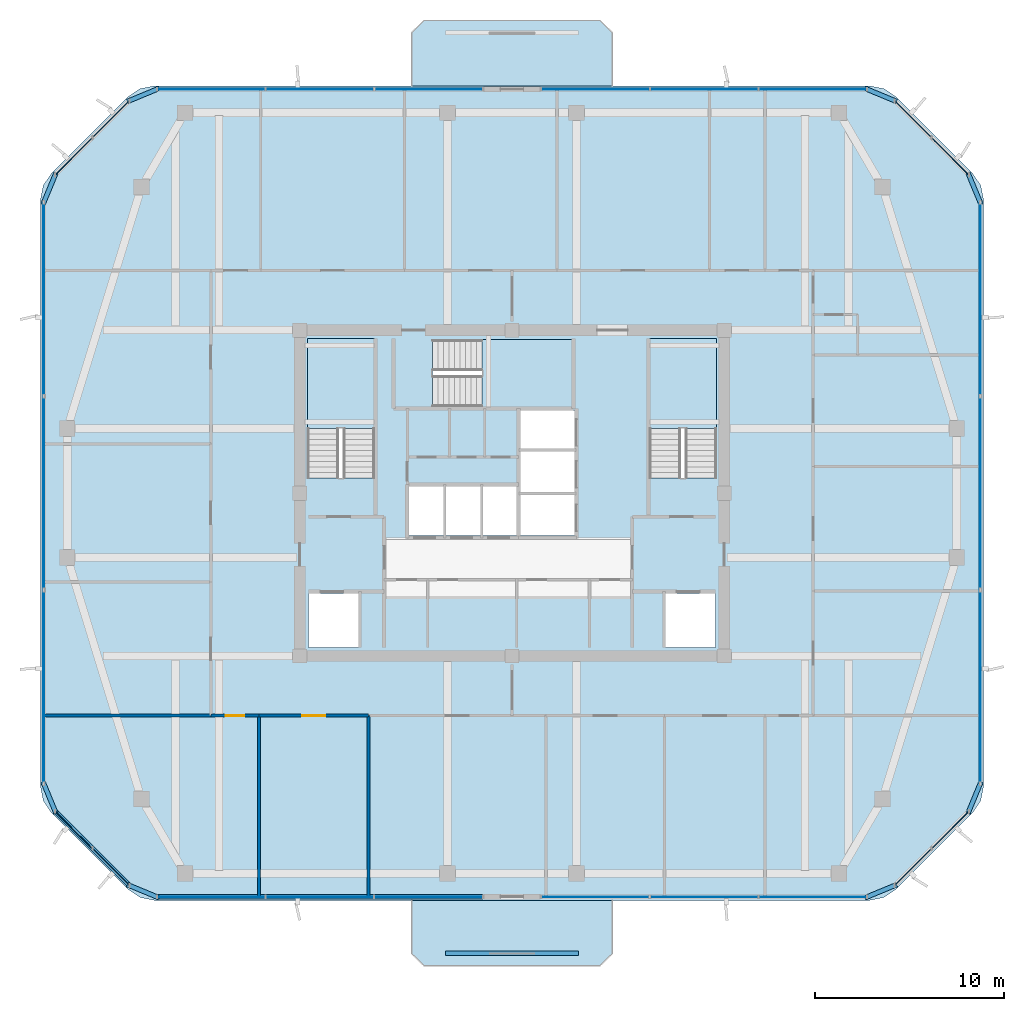
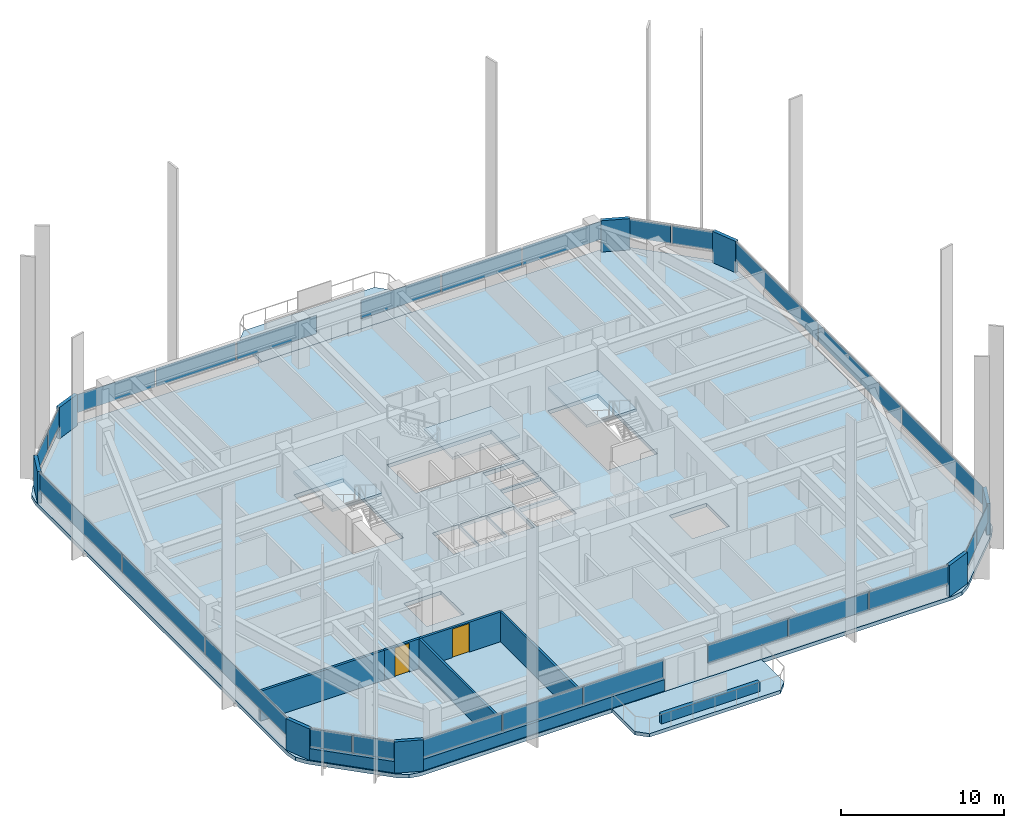
# One storey, part 6 of 13: 34 plates, 8 walls, 6 slabs, 2 doors, 2 openings, 13 elements without a shape of their own.
"""IFC4 building model written with IfcOpenShell, lengths in metres."""

from ifc_helpers import new_model, si_unit, derived_unit, direction, frame, frame_2d, origin, origin_2d, place, context, subcontext, project, spatial, polyline, rectangle, outline, extrude, material, layer, layer_set, type_object, element, fill, aggregate, save


model = new_model("IFC4")

# Units and contexts
model_context = context("Model", 3, precision=1e-05, world=origin(), true_north=direction((0.0, 1.0)))
body_context = subcontext(model_context, "Body", "Model", "MODEL_VIEW")
ifc_project = project(units=[si_unit("LENGTHUNIT", "METRE"), si_unit("AREAUNIT", "SQUARE_METRE"), si_unit("VOLUMEUNIT", "CUBIC_METRE"), si_unit("PLANEANGLEUNIT", "RADIAN"), si_unit("MASSUNIT", "GRAM", prefix="KILO"), derived_unit("THERMALTRANSMITTANCEUNIT", [(si_unit("POWERUNIT", "WATT"), 1), (si_unit("LENGTHUNIT", "METRE"), -2), (si_unit("THERMODYNAMICTEMPERATUREUNIT", "KELVIN"), -1)])], contexts=[model_context])

# Site, building, storey
site_placement = place(None, origin())
site = spatial("IfcSite", under=ifc_project, at=site_placement, CompositionType="ELEMENT")
building_placement = place(site_placement, origin())
building = spatial("IfcBuilding", under=site, at=building_placement, Name="Koralith Skygarden Medical Center", CompositionType="ELEMENT")
storey_placement = place(building_placement, frame((0.0, 0.0, 282.419921875)))
storey = spatial("IfcBuildingStorey", under=building, at=storey_placement, Name="L73", CompositionType="ELEMENT", Elevation=282.419921875)

# Curtain wall, plates
ifc_material_1 = material(Name="Clear Laminated Glass", Category="glass")
curtain_wall_type = type_object("IfcCurtainWallType", Name="CW-6 Zone 5 Upper Clinical Curtain Wall", PredefinedType="NOTDEFINED", material=ifc_material_1)
curtain_wall_1_placement = place(storey_placement, origin())
curtain_wall_1 = element("IfcCurtainWall", 1, at=curtain_wall_1_placement, inside=storey, type_object=curtain_wall_type, Name="Curtain Wall CW-L73-S-L", PredefinedType="NOTDEFINED")
ifc_layer_1 = layer(ifc_material_1, 0.0400390625)
ifc_layer_set_1 = layer_set([ifc_layer_1], Name="Clear Laminated Glass")
plate_type_1 = type_object("IfcPlateType", Name="CW-6 Hurricane Laminated IGU Panel 40", PredefinedType="CURTAIN_PANEL", material=ifc_layer_set_1)
plate_1_placement = place(storey_placement, frame((21.1220703125, 4.580078125, 0.919921875), z_axis=(0.0, 0.0, 1.0), x_axis=(1.0, 0.0, 0.0)))
plate_1 = element("IfcPlate", 2, at=plate_1_placement, type_object=plate_type_1, Name="CW-L73-S-L Glazed Panel 1", PredefinedType="CURTAIN_PANEL", context=body_context, shape_type="SweptSolid", body=[
    extrude(rectangle(XDim=5.64501953125, YDim=0.0400390625, at=origin_2d()), origin(), (0.0, 0.0, 1.0), 1.360107421875),
])
plate_2_placement = place(storey_placement, frame((26.85693359375, 4.580078125, 0.919921875), z_axis=(0.0, 0.0, 1.0), x_axis=(1.0, 0.0, 0.0)))
plate_2 = element("IfcPlate", 3, at=plate_2_placement, type_object=plate_type_1, Name="CW-L73-S-L Glazed Panel 2", PredefinedType="CURTAIN_PANEL", context=body_context, shape_type="SweptSolid", body=[
    extrude(rectangle(XDim=5.64501953125, YDim=0.0400390625, at=origin_2d()), origin(), (0.0, 0.0, 1.0), 1.360107421875),
])
plate_3_placement = place(storey_placement, frame((32.592041015625, 4.580078125, 0.919921875), z_axis=(0.0, 0.0, 1.0), x_axis=(1.0, 0.0, 0.0)))
plate_3 = element("IfcPlate", 4, at=plate_3_placement, type_object=plate_type_1, Name="CW-L73-S-L Glazed Panel 3", PredefinedType="CURTAIN_PANEL", context=body_context, shape_type="SweptSolid", body=[
    extrude(rectangle(XDim=5.64501953125, YDim=0.0400390625, at=origin_2d()), origin(), (0.0, 0.0, 1.0), 1.360107421875),
])
aggregate(curtain_wall_1, [plate_1, plate_2, plate_3])

curtain_wall_2_placement = place(storey_placement, origin())
curtain_wall_2 = element("IfcCurtainWall", 5, at=curtain_wall_2_placement, inside=storey, type_object=curtain_wall_type, Name="Curtain Wall CW-L73-S-R", PredefinedType="NOTDEFINED")
plate_4_placement = place(storey_placement, frame((41.406982421875, 4.580078125, 0.919921875), z_axis=(0.0, 0.0, 1.0), x_axis=(1.0, 0.0, 0.0)))
plate_4 = element("IfcPlate", 6, at=plate_4_placement, type_object=plate_type_1, Name="CW-L73-S-R Glazed Panel 1", PredefinedType="CURTAIN_PANEL", context=body_context, shape_type="SweptSolid", body=[
    extrude(rectangle(XDim=5.64501953125, YDim=0.0400390625, at=origin_2d()), origin(), (0.0, 0.0, 1.0), 1.360107421875),
])
plate_5_placement = place(storey_placement, frame((47.14208984375, 4.580078125, 0.919921875), z_axis=(0.0, 0.0, 1.0), x_axis=(1.0, 0.0, 0.0)))
plate_5 = element("IfcPlate", 7, at=plate_5_placement, type_object=plate_type_1, Name="CW-L73-S-R Glazed Panel 2", PredefinedType="CURTAIN_PANEL", context=body_context, shape_type="SweptSolid", body=[
    extrude(rectangle(XDim=5.64501953125, YDim=0.0400390625, at=origin_2d()), origin(), (0.0, 0.0, 1.0), 1.360107421875),
])
plate_6_placement = place(storey_placement, frame((52.876953125, 4.580078125, 0.919921875), z_axis=(0.0, 0.0, 1.0), x_axis=(1.0, 0.0, 0.0)))
plate_6 = element("IfcPlate", 8, at=plate_6_placement, type_object=plate_type_1, Name="CW-L73-S-R Glazed Panel 3", PredefinedType="CURTAIN_PANEL", context=body_context, shape_type="SweptSolid", body=[
    extrude(rectangle(XDim=5.64501953125, YDim=0.0400390625, at=origin_2d()), origin(), (0.0, 0.0, 1.0), 1.360107421875),
])
aggregate(curtain_wall_2, [plate_4, plate_5, plate_6])

curtain_wall_3_placement = place(storey_placement, origin())
curtain_wall_3 = element("IfcCurtainWall", 9, at=curtain_wall_3_placement, inside=storey, type_object=curtain_wall_type, Name="Curtain Wall CW-L73-SE", PredefinedType="NOTDEFINED")
plate_7_placement = place(storey_placement, frame((58.177001953125, 6.162109375, 0.919921875), z_axis=(0.0, 0.0, 1.0), x_axis=(0.707106781187, 0.707106781187, 0.0)))
plate_7 = element("IfcPlate", 10, at=plate_7_placement, type_object=plate_type_1, Name="CW-L73-SE Glazed Panel 1", PredefinedType="CURTAIN_PANEL", context=body_context, shape_type="SweptSolid", body=[
    extrude(rectangle(XDim=2.68408203125, YDim=0.0400390625, at=origin_2d()), origin(), (0.0, 0.0, 1.0), 1.360107421875),
])
plate_8_placement = place(storey_placement, frame((60.137939453125, 8.123046875, 0.919921875), z_axis=(0.0, 0.0, 1.0), x_axis=(0.707106781187, 0.707106781187, 0.0)))
plate_8 = element("IfcPlate", 11, at=plate_8_placement, type_object=plate_type_1, Name="CW-L73-SE Glazed Panel 2", PredefinedType="CURTAIN_PANEL", context=body_context, shape_type="SweptSolid", body=[
    extrude(rectangle(XDim=2.68408203125, YDim=0.0400390625, at=origin_2d()), origin(), (0.0, 0.0, 1.0), 1.360107421875),
])
aggregate(curtain_wall_3, [plate_7, plate_8])

curtain_wall_4_placement = place(storey_placement, origin())
curtain_wall_4 = element("IfcCurtainWall", 12, at=curtain_wall_4_placement, inside=storey, type_object=curtain_wall_type, Name="Curtain Wall CW-L73-E", PredefinedType="NOTDEFINED")
plate_9_placement = place(storey_placement, frame((61.719970703125, 15.669921875, 0.919921875), z_axis=(0.0, 0.0, 1.0), x_axis=(0.0, 1.0, 0.0)))
plate_9 = element("IfcPlate", 13, at=plate_9_placement, type_object=plate_type_1, Name="CW-L73-E Glazed Panel 1", PredefinedType="CURTAIN_PANEL", context=body_context, shape_type="SweptSolid", body=[
    extrude(rectangle(XDim=10.139892578125, YDim=0.0400390625, at=origin_2d()), origin(), (0.0, 0.0, 1.0), 1.360107421875),
])
plate_10_placement = place(storey_placement, frame((61.719970703125, 25.89990234375, 0.919921875), z_axis=(0.0, 0.0, 1.0), x_axis=(0.0, 1.0, 0.0)))
plate_10 = element("IfcPlate", 14, at=plate_10_placement, type_object=plate_type_1, Name="CW-L73-E Glazed Panel 2", PredefinedType="CURTAIN_PANEL", context=body_context, shape_type="SweptSolid", body=[
    extrude(rectangle(XDim=10.139892578125, YDim=0.0400390625, at=origin_2d()), origin(), (0.0, 0.0, 1.0), 1.360107421875),
])
plate_11_placement = place(storey_placement, frame((61.719970703125, 36.1298828125, 0.919921875), z_axis=(0.0, 0.0, 1.0), x_axis=(0.0, 1.0, 0.0)))
plate_11 = element("IfcPlate", 15, at=plate_11_placement, type_object=plate_type_1, Name="CW-L73-E Glazed Panel 3", PredefinedType="CURTAIN_PANEL", context=body_context, shape_type="SweptSolid", body=[
    extrude(rectangle(XDim=10.139892578125, YDim=0.0400390625, at=origin_2d()), origin(), (0.0, 0.0, 1.0), 1.360107421875),
])
aggregate(curtain_wall_4, [plate_9, plate_10, plate_11])

curtain_wall_5_placement = place(storey_placement, origin())
curtain_wall_5 = element("IfcCurtainWall", 16, at=curtain_wall_5_placement, inside=storey, type_object=curtain_wall_type, Name="Curtain Wall CW-L73-NE", PredefinedType="NOTDEFINED")
plate_12_placement = place(storey_placement, frame((60.137939453125, 43.677001953125, 0.919921875), z_axis=(0.0, 0.0, 1.0), x_axis=(-0.707106781187, 0.707106781187, 0.0)))
plate_12 = element("IfcPlate", 17, at=plate_12_placement, type_object=plate_type_1, Name="CW-L73-NE Glazed Panel 1", PredefinedType="CURTAIN_PANEL", context=body_context, shape_type="SweptSolid", body=[
    extrude(rectangle(XDim=2.68408203125, YDim=0.0400390625, at=origin_2d()), origin(), (0.0, 0.0, 1.0), 1.360107421875),
])
plate_13_placement = place(storey_placement, frame((58.177001953125, 45.637939453125, 0.919921875), z_axis=(0.0, 0.0, 1.0), x_axis=(-0.707106781187, 0.707106781187, 0.0)))
plate_13 = element("IfcPlate", 18, at=plate_13_placement, type_object=plate_type_1, Name="CW-L73-NE Glazed Panel 2", PredefinedType="CURTAIN_PANEL", context=body_context, shape_type="SweptSolid", body=[
    extrude(rectangle(XDim=2.68408203125, YDim=0.0400390625, at=origin_2d()), origin(), (0.0, 0.0, 1.0), 1.360107421875),
])
aggregate(curtain_wall_5, [plate_12, plate_13])

curtain_wall_6_placement = place(storey_placement, origin())
curtain_wall_6 = element("IfcCurtainWall", 19, at=curtain_wall_6_placement, inside=storey, type_object=curtain_wall_type, Name="Curtain Wall CW-L73-N-L", PredefinedType="NOTDEFINED")
plate_14_placement = place(storey_placement, frame((52.8779296875, 47.219970703125, 0.919921875), z_axis=(0.0, 0.0, 1.0), x_axis=(-1.0, 0.0, 0.0)))
plate_14 = element("IfcPlate", 20, at=plate_14_placement, type_object=plate_type_1, Name="CW-L73-N-L Glazed Panel 1", PredefinedType="CURTAIN_PANEL", context=body_context, shape_type="SweptSolid", body=[
    extrude(rectangle(XDim=5.64501953125, YDim=0.0400390625, at=origin_2d()), origin(), (0.0, 0.0, 1.0), 1.360107421875),
])
plate_15_placement = place(storey_placement, frame((47.14306640625, 47.219970703125, 0.919921875), z_axis=(0.0, 0.0, 1.0), x_axis=(-1.0, 0.0, 0.0)))
plate_15 = element("IfcPlate", 21, at=plate_15_placement, type_object=plate_type_1, Name="CW-L73-N-L Glazed Panel 2", PredefinedType="CURTAIN_PANEL", context=body_context, shape_type="SweptSolid", body=[
    extrude(rectangle(XDim=5.64501953125, YDim=0.0400390625, at=origin_2d()), origin(), (0.0, 0.0, 1.0), 1.360107421875),
])
plate_16_placement = place(storey_placement, frame((41.407958984375, 47.219970703125, 0.919921875), z_axis=(0.0, 0.0, 1.0), x_axis=(-1.0, 0.0, 0.0)))
plate_16 = element("IfcPlate", 22, at=plate_16_placement, type_object=plate_type_1, Name="CW-L73-N-L Glazed Panel 3", PredefinedType="CURTAIN_PANEL", context=body_context, shape_type="SweptSolid", body=[
    extrude(rectangle(XDim=5.64501953125, YDim=0.0400390625, at=origin_2d()), origin(), (0.0, 0.0, 1.0), 1.360107421875),
])
aggregate(curtain_wall_6, [plate_14, plate_15, plate_16])

curtain_wall_7_placement = place(storey_placement, origin())
curtain_wall_7 = element("IfcCurtainWall", 23, at=curtain_wall_7_placement, inside=storey, type_object=curtain_wall_type, Name="Curtain Wall CW-L73-N-R", PredefinedType="NOTDEFINED")
plate_17_placement = place(storey_placement, frame((32.593017578125, 47.219970703125, 0.919921875), z_axis=(0.0, 0.0, 1.0), x_axis=(-1.0, 0.0, 0.0)))
plate_17 = element("IfcPlate", 24, at=plate_17_placement, type_object=plate_type_1, Name="CW-L73-N-R Glazed Panel 1", PredefinedType="CURTAIN_PANEL", context=body_context, shape_type="SweptSolid", body=[
    extrude(rectangle(XDim=5.64501953125, YDim=0.0400390625, at=origin_2d()), origin(), (0.0, 0.0, 1.0), 1.360107421875),
])
plate_18_placement = place(storey_placement, frame((26.85791015625, 47.219970703125, 0.919921875), z_axis=(0.0, 0.0, 1.0), x_axis=(-1.0, 0.0, 0.0)))
plate_18 = element("IfcPlate", 25, at=plate_18_placement, type_object=plate_type_1, Name="CW-L73-N-R Glazed Panel 2", PredefinedType="CURTAIN_PANEL", context=body_context, shape_type="SweptSolid", body=[
    extrude(rectangle(XDim=5.64501953125, YDim=0.0400390625, at=origin_2d()), origin(), (0.0, 0.0, 1.0), 1.360107421875),
])
plate_19_placement = place(storey_placement, frame((21.123046875, 47.219970703125, 0.919921875), z_axis=(0.0, 0.0, 1.0), x_axis=(-1.0, 0.0, 0.0)))
plate_19 = element("IfcPlate", 26, at=plate_19_placement, type_object=plate_type_1, Name="CW-L73-N-R Glazed Panel 3", PredefinedType="CURTAIN_PANEL", context=body_context, shape_type="SweptSolid", body=[
    extrude(rectangle(XDim=5.64501953125, YDim=0.0400390625, at=origin_2d()), origin(), (0.0, 0.0, 1.0), 1.360107421875),
])
aggregate(curtain_wall_7, [plate_17, plate_18, plate_19])

curtain_wall_8_placement = place(storey_placement, origin())
curtain_wall_8 = element("IfcCurtainWall", 27, at=curtain_wall_8_placement, inside=storey, type_object=curtain_wall_type, Name="Curtain Wall CW-L73-NW", PredefinedType="NOTDEFINED")
plate_20_placement = place(storey_placement, frame((15.822998046875, 45.637939453125, 0.919921875), z_axis=(0.0, 0.0, 1.0), x_axis=(-0.707106781187, -0.707106781187, 0.0)))
plate_20 = element("IfcPlate", 28, at=plate_20_placement, type_object=plate_type_1, Name="CW-L73-NW Glazed Panel 1", PredefinedType="CURTAIN_PANEL", context=body_context, shape_type="SweptSolid", body=[
    extrude(rectangle(XDim=2.68408203125, YDim=0.0400390625, at=origin_2d()), origin(), (0.0, 0.0, 1.0), 1.360107421875),
])
plate_21_placement = place(storey_placement, frame((13.862060546875, 43.677001953125, 0.919921875), z_axis=(0.0, 0.0, 1.0), x_axis=(-0.707106781187, -0.707106781187, 0.0)))
plate_21 = element("IfcPlate", 29, at=plate_21_placement, type_object=plate_type_1, Name="CW-L73-NW Glazed Panel 2", PredefinedType="CURTAIN_PANEL", context=body_context, shape_type="SweptSolid", body=[
    extrude(rectangle(XDim=2.68408203125, YDim=0.0400390625, at=origin_2d()), origin(), (0.0, 0.0, 1.0), 1.360107421875),
])
aggregate(curtain_wall_8, [plate_20, plate_21])

curtain_wall_9_placement = place(storey_placement, origin())
curtain_wall_9 = element("IfcCurtainWall", 30, at=curtain_wall_9_placement, inside=storey, type_object=curtain_wall_type, Name="Curtain Wall CW-L73-W", PredefinedType="NOTDEFINED")
plate_22_placement = place(storey_placement, frame((12.280029296875, 36.1298828125, 0.919921875), z_axis=(0.0, 0.0, 1.0), x_axis=(0.0, -1.0, 0.0)))
plate_22 = element("IfcPlate", 31, at=plate_22_placement, type_object=plate_type_1, Name="CW-L73-W Glazed Panel 1", PredefinedType="CURTAIN_PANEL", context=body_context, shape_type="SweptSolid", body=[
    extrude(rectangle(XDim=10.139892578125, YDim=0.0400390625, at=origin_2d()), origin(), (0.0, 0.0, 1.0), 1.360107421875),
])
plate_23_placement = place(storey_placement, frame((12.280029296875, 25.89990234375, 0.919921875), z_axis=(0.0, 0.0, 1.0), x_axis=(0.0, -1.0, 0.0)))
plate_23 = element("IfcPlate", 32, at=plate_23_placement, type_object=plate_type_1, Name="CW-L73-W Glazed Panel 2", PredefinedType="CURTAIN_PANEL", context=body_context, shape_type="SweptSolid", body=[
    extrude(rectangle(XDim=10.139892578125, YDim=0.0400390625, at=origin_2d()), origin(), (0.0, 0.0, 1.0), 1.360107421875),
])
plate_24_placement = place(storey_placement, frame((12.280029296875, 15.669921875, 0.919921875), z_axis=(0.0, 0.0, 1.0), x_axis=(0.0, -1.0, 0.0)))
plate_24 = element("IfcPlate", 33, at=plate_24_placement, type_object=plate_type_1, Name="CW-L73-W Glazed Panel 3", PredefinedType="CURTAIN_PANEL", context=body_context, shape_type="SweptSolid", body=[
    extrude(rectangle(XDim=10.139892578125, YDim=0.0400390625, at=origin_2d()), origin(), (0.0, 0.0, 1.0), 1.360107421875),
])
aggregate(curtain_wall_9, [plate_22, plate_23, plate_24])

curtain_wall_10_placement = place(storey_placement, origin())
curtain_wall_10 = element("IfcCurtainWall", 34, at=curtain_wall_10_placement, inside=storey, type_object=curtain_wall_type, Name="Curtain Wall CW-L73-SW", PredefinedType="NOTDEFINED")
plate_25_placement = place(storey_placement, frame((13.862060546875, 8.123046875, 0.919921875), z_axis=(0.0, 0.0, 1.0), x_axis=(0.707106781187, -0.707106781187, 0.0)))
plate_25 = element("IfcPlate", 35, at=plate_25_placement, type_object=plate_type_1, Name="CW-L73-SW Glazed Panel 1", PredefinedType="CURTAIN_PANEL", context=body_context, shape_type="SweptSolid", body=[
    extrude(rectangle(XDim=2.68408203125, YDim=0.0400390625, at=origin_2d()), origin(), (0.0, 0.0, 1.0), 1.360107421875),
])
plate_26_placement = place(storey_placement, frame((15.822998046875, 6.162109375, 0.919921875), z_axis=(0.0, 0.0, 1.0), x_axis=(0.707106781187, -0.707106781187, 0.0)))
plate_26 = element("IfcPlate", 36, at=plate_26_placement, type_object=plate_type_1, Name="CW-L73-SW Glazed Panel 2", PredefinedType="CURTAIN_PANEL", context=body_context, shape_type="SweptSolid", body=[
    extrude(rectangle(XDim=2.68408203125, YDim=0.0400390625, at=origin_2d()), origin(), (0.0, 0.0, 1.0), 1.360107421875),
])
aggregate(curtain_wall_10, [plate_25, plate_26])

# Slabs
ifc_material_2 = material(Name="Concrete C45/55", Category="concrete")
ifc_layer_2 = layer(ifc_material_2, 0.260009765625)
ifc_layer_set_2 = layer_set([ifc_layer_2], Name="Concrete C45/55")
slab_type_1 = type_object("IfcSlabType", Name="Cantilevered Planted Balcony Slab 260", PredefinedType="FLOOR", material=ifc_layer_set_2)
slab_1_placement = place(storey_placement, frame((0.0, 0.0, -0.260009765625)))
element("IfcSlab", 37, at=slab_1_placement, inside=storey, type_object=slab_type_1, Name="L73 N Planted Sky-Garden Balcony Slab", PredefinedType="FLOOR", context=body_context, shape_type="SweptSolid", body=[
    extrude(outline(polyline([(31.699951171875, 47.39990234375), (42.300048828125, 47.39990234375), (42.300048828125, 50.199951171875), (41.64990234375, 50.85009765625), (32.35009765625, 50.85009765625), (31.699951171875, 50.199951171875), (31.699951171875, 47.39990234375)])), origin(), (0.0, 0.0, 1.0), 0.260009765625),
])
slab_2_placement = place(storey_placement, frame((0.0, 0.0, -0.260009765625)))
element("IfcSlab", 38, at=slab_2_placement, inside=storey, type_object=slab_type_1, Name="L73 S Planted Sky-Garden Balcony Slab", PredefinedType="FLOOR", context=body_context, shape_type="SweptSolid", body=[
    extrude(outline(polyline([(32.35009765625, 0.949951171875), (41.64990234375, 0.949951171875), (42.300048828125, 1.60009765625), (42.300048828125, 4.39990234375), (31.699951171875, 4.39990234375), (31.699951171875, 1.60009765625), (32.35009765625, 0.949951171875)])), origin(), (0.0, 0.0, 1.0), 0.260009765625),
])

# Stair, slab
stair_type = type_object("IfcStairType", Name="Core Exit Dogleg Concrete Stair", PredefinedType="HALF_TURN_STAIR", material=ifc_material_2)
stair_1_placement = place(storey_placement, origin())
stair_1 = element("IfcStair", 39, at=stair_1_placement, inside=storey, type_object=stair_type, Name="L73 Smokeproof Exit Stair ST1", PredefinedType="HALF_TURN_STAIR")
ifc_layer_3 = layer(ifc_material_2, 0.199951171875)
ifc_layer_set_3 = layer_set([ifc_layer_3], Name="Concrete C45/55")
slab_type_2 = type_object("IfcSlabType", Name="Core Exit Concrete Stair Landing 200", PredefinedType="LANDING", material=ifc_layer_set_3)
slab_3_placement = place(storey_placement, frame((0.0, 0.0, 1.60009765625)))
slab_3 = element("IfcSlab", 40, at=slab_3_placement, type_object=slab_type_2, Name="ST1 landing 1", PredefinedType="LANDING", context=body_context, shape_type="SweptSolid", body=[
    extrude(outline(polyline([(29.75, 29.31005859375), (29.75, 34.050048828125), (26.199951171875, 34.050048828125), (26.199951171875, 29.31005859375), (29.75, 29.31005859375)])), origin(), (0.0, 0.0, 1.0), 0.199951171875),
])
aggregate(stair_1, [slab_3])

stair_2_placement = place(storey_placement, origin())
stair_2 = element("IfcStair", 41, at=stair_2_placement, inside=storey, type_object=stair_type, Name="L73 Smokeproof Exit Stair ST2", PredefinedType="HALF_TURN_STAIR")
slab_4_placement = place(storey_placement, frame((0.0, 0.0, 1.60009765625)))
slab_4 = element("IfcSlab", 42, at=slab_4_placement, type_object=slab_type_2, Name="ST2 landing 1", PredefinedType="LANDING", context=body_context, shape_type="SweptSolid", body=[
    extrude(outline(polyline([(47.800048828125, 29.31005859375), (47.800048828125, 34.050048828125), (44.25, 34.050048828125), (44.25, 29.31005859375), (47.800048828125, 29.31005859375)])), origin(), (0.0, 0.0, 1.0), 0.199951171875),
])
aggregate(stair_2, [slab_4])

stair_3_placement = place(storey_placement, origin())
stair_3 = element("IfcStair", 43, at=stair_3_placement, inside=storey, type_object=stair_type, Name="L73 Smokeproof Exit Stair ST3", PredefinedType="HALF_TURN_STAIR")
slab_5_placement = place(storey_placement, frame((0.0, 0.0, 1.60009765625)))
slab_5 = element("IfcSlab", 44, at=slab_5_placement, type_object=slab_type_2, Name="ST3 landing 1", PredefinedType="LANDING", context=body_context, shape_type="SweptSolid", body=[
    extrude(outline(polyline([(35.409912109375, 30.449951171875), (40.199951171875, 30.449951171875), (40.199951171875, 34.0), (35.409912109375, 34.0), (35.409912109375, 30.449951171875)])), origin(), (0.0, 0.0, 1.0), 0.199951171875),
])
aggregate(stair_3, [slab_5])

# Slab
ifc_layer_4 = layer(ifc_material_2, 0.280029296875)
ifc_layer_set_4 = layer_set([ifc_layer_4], Name="Concrete C45/55")
slab_type_3 = type_object("IfcSlabType", Name="Post-Tensioned Ward Floor Plate 280", PredefinedType="FLOOR", material=ifc_layer_set_4)
slab_6_placement = place(storey_placement, frame((0.0, 0.0, -0.280029296875)))
element("IfcSlab", 45, at=slab_6_placement, inside=storey, type_object=slab_type_3, Name="Level L73 Structural Floor Slab", PredefinedType="FLOOR", context=body_context, shape_type="SweptSolid", body=[
    extrude(outline(polyline([(16.714111328125, 4.986083984375), (17.363037109375, 4.552001953125), (18.1279296875, 4.39990234375), (55.8720703125, 4.39990234375), (56.636962890625, 4.552001953125), (57.285888671875, 4.986083984375), (61.31396484375, 9.013916015625), (61.748046875, 9.6630859375), (61.89990234375, 10.427978515625), (61.89990234375, 41.3720703125), (61.748046875, 42.136962890625), (61.31396484375, 42.785888671875), (57.285888671875, 46.81396484375), (56.636962890625, 47.248046875), (55.8720703125, 47.39990234375), (18.1279296875, 47.39990234375), (17.363037109375, 47.248046875), (16.714111328125, 46.81396484375), (12.68603515625, 42.785888671875), (12.251953125, 42.136962890625), (12.10009765625, 41.3720703125), (12.10009765625, 10.427978515625), (12.251953125, 9.6630859375), (12.68603515625, 9.013916015625), (16.714111328125, 4.986083984375)]), holes=[polyline([(26.199951171875, 26.705078125), (29.75, 26.705078125), (29.75, 34.050048828125), (26.199951171875, 34.050048828125), (26.199951171875, 26.705078125)]), polyline([(44.25, 26.705078125), (47.800048828125, 26.705078125), (47.800048828125, 34.050048828125), (44.25, 34.050048828125), (44.25, 26.705078125)]), polyline([(32.804931640625, 30.449951171875), (40.199951171875, 30.449951171875), (40.199951171875, 34.0), (32.804931640625, 34.0), (32.804931640625, 30.449951171875)]), polyline([(26.25, 17.75), (28.89990234375, 17.75), (28.89990234375, 20.60009765625), (26.25, 20.60009765625), (26.25, 17.75)]), polyline([(45.10009765625, 17.75), (47.75, 17.75), (47.75, 20.60009765625), (45.10009765625, 20.60009765625), (45.10009765625, 17.75)]), polyline([(31.550048828125, 23.64990234375), (33.39990234375, 23.64990234375), (33.39990234375, 26.25), (31.550048828125, 26.25), (31.550048828125, 23.64990234375)]), polyline([(33.5, 23.64990234375), (35.35009765625, 23.64990234375), (35.35009765625, 26.25), (33.5, 26.25), (33.5, 23.64990234375)]), polyline([(35.449951171875, 23.64990234375), (37.300048828125, 23.64990234375), (37.300048828125, 26.25), (35.449951171875, 26.25), (35.449951171875, 23.64990234375)]), polyline([(37.449951171875, 23.64990234375), (40.300048828125, 23.64990234375), (40.300048828125, 25.800048828125), (37.449951171875, 25.800048828125), (37.449951171875, 23.64990234375)]), polyline([(37.449951171875, 25.949951171875), (40.300048828125, 25.949951171875), (40.300048828125, 28.10009765625), (37.449951171875, 28.10009765625), (37.449951171875, 25.949951171875)]), polyline([(37.449951171875, 28.25), (40.300048828125, 28.25), (40.300048828125, 30.25), (37.449951171875, 30.25), (37.449951171875, 28.25)])]), origin(), (0.0, 0.0, 1.0), 0.280029296875),
])

# Plates
ifc_material_3 = material(Name="Warm Oolitic Limestone Cladding", Category="masonry")
ifc_layer_5 = layer(ifc_material_3, 0.239990234375)
ifc_layer_set_5 = layer_set([ifc_layer_5], Name="Warm Oolitic Limestone Cladding")
plate_type_2 = type_object("IfcPlateType", Name="Rounded-Corner Oolitic Limestone Cladding Panel 240", PredefinedType="USERDEFINED", material=ifc_layer_set_5)
for number, where, z_axis, x_axis, name in (
    (46, (56.470947265625, 4.8798828125, 0.0), (0.0, 0.0, 1.0), (0.92388487569, 0.382670532536, 0.0), "L73 Rounded-Corner Limestone Pier 1"),
    (47, (61.4189453125, 9.8291015625, 0.0), (0.0, 0.0, 1.0), (0.382670532536, 0.92388487569, 0.0), "L73 Rounded-Corner Limestone Pier 2"),
    (48, (61.4189453125, 41.970947265625, 0.0), (0.0, 0.0, 1.0), (-0.382670532536, 0.92388487569, 0.0), "L73 Rounded-Corner Limestone Pier 3"),
    (49, (56.470947265625, 46.9189453125, 0.0), (0.0, 0.0, 1.0), (-0.92388487569, 0.382670532536, 0.0), "L73 Rounded-Corner Limestone Pier 4"),
    (50, (17.529052734375, 46.9189453125, 0.0), (0.0, 0.0, 1.0), (-0.92388487569, -0.382670532536, 0.0), "L73 Rounded-Corner Limestone Pier 5"),
    (51, (12.5810546875, 41.970947265625, 0.0), (0.0, 0.0, 1.0), (-0.382670532536, -0.92388487569, 0.0), "L73 Rounded-Corner Limestone Pier 6"),
    (52, (12.5810546875, 9.8291015625, 0.0), (0.0, 0.0, 1.0), (0.382670532536, -0.92388487569, 0.0), "L73 Rounded-Corner Limestone Pier 7"),
    (53, (17.529052734375, 4.8798828125, 0.0), (0.0, 0.0, 1.0), (0.92388487569, -0.382670532536, 0.0), "L73 Rounded-Corner Limestone Pier 8"),
):
    element("IfcPlate", number, at=place(storey_placement, frame(where, z_axis=z_axis, x_axis=x_axis)), inside=storey, type_object=plate_type_2, Name=name, ObjectType="LIMESTONE CLADDING", PredefinedType="USERDEFINED", context=body_context, shape_type="SweptSolid", body=[
        extrude(rectangle(XDim=1.81103515625, YDim=0.239990234375, at=origin_2d()), origin(), (0.0, 0.0, 1.0), 2.35009765625),
    ])

# Walls
ifc_material_4 = material(Name="Gypsum Board Partition")
ifc_layer_6 = layer(ifc_material_4, 0.14990234375)
ifc_layer_set_6 = layer_set([ifc_layer_6], Name="Gypsum Board Partition")
wall_type_1 = type_object("IfcWallType", Name="Clinical Acoustic Partition 150", PredefinedType="PARTITIONING", material=ifc_layer_set_6)
for number, where, z_axis, x_axis, name in (
    (54, (23.64990234375, 14.14990234375, 0.0), (0.0, 0.0, 1.0), (0.0, -1.0, 0.0), "L73 Clinical Acoustic Partition 150 W-PART-L73-S-01"),
    (55, (29.422119140625, 14.14990234375, 0.0), (0.0, 0.0, 1.0), (0.0, -1.0, 0.0), "L73 Clinical Acoustic Partition 150 W-PART-L73-S-02"),
):
    element("IfcWall", number, at=place(storey_placement, frame(where, z_axis=z_axis, x_axis=x_axis)), inside=storey, type_object=wall_type_1, Name=name, PredefinedType="PARTITIONING", context=body_context, shape_type="SweptSolid", body=[
        extrude(rectangle(XDim=9.5498046875, YDim=0.14990234375, at=frame_2d((4.77490234375, 0.0))), origin(), (0.0, 0.0, 1.0), 2.239990234375),
    ])
ifc_layer_7 = layer(ifc_material_4, 0.1650390625)
ifc_layer_set_7 = layer_set([ifc_layer_7], Name="Gypsum Board Partition")
wall_type_2 = type_object("IfcWallType", Name="Clinical Corridor Partition 165", PredefinedType="PARTITIONING", material=ifc_layer_set_7)
wall_1_placement = place(storey_placement, frame((12.300048828125, 14.14990234375, 0.0), z_axis=(0.0, 0.0, 1.0), x_axis=(1.0, 0.0, 0.0)))
element("IfcWall", 56, at=wall_1_placement, inside=storey, type_object=wall_type_2, Name="L73 Clinical Corridor Partition 165 W-WB-L73-SW", PredefinedType="PARTITIONING", context=body_context, shape_type="SweptSolid", body=[
    extrude(rectangle(XDim=8.800048828125, YDim=0.1650390625, at=frame_2d((4.39990234375, 0.0))), origin(), (0.0, 0.0, 1.0), 2.239990234375),
])

# Wall, opening, door
wall_2_placement = place(storey_placement, frame((21.10009765625, 14.14990234375, 0.0), z_axis=(0.0, 0.0, 1.0), x_axis=(1.0, 0.0, 0.0)))
wall_2 = element("IfcWall", 57, at=wall_2_placement, inside=storey, type_object=wall_type_2, Name="L73 Clinical Corridor Partition 165 W-CORR-L73-S-01", PredefinedType="PARTITIONING", context=body_context, shape_type="SweptSolid", body=[
    extrude(rectangle(XDim=2.5498046875, YDim=0.1650390625, at=frame_2d((1.27490234375, 0.0))), origin(), (0.0, 0.0, 1.0), 2.239990234375),
])
opening_1_placement = place(wall_2_placement, frame((0.77490234375, 0.0, 0.0)))
opening_1 = element("IfcOpeningElement", 58, at=opening_1_placement, cuts=wall_2, Name="Opening D-SUP", PredefinedType="OPENING", context=body_context, shape_type="SweptSolid", body=[
    extrude(rectangle(XDim=1.0, YDim=2.14990234375, at=frame_2d((0.5, 1.074951171875))), frame((0.0, 0.092529296875, 0.0), z_axis=(0.0, -1.0, 0.0), x_axis=(1.0, 0.0, 0.0)), (0.0, 0.0, 1.0), 0.18505859375),
])
ifc_material_5 = material(Name="Aluminium 6063-T6", Category="aluminium")
door_type_1 = type_object("IfcDoorType", Name="Clinical Support Door D-SUP 1000", OperationType="NOTDEFINED", PredefinedType="DOOR", material=ifc_material_5)
door_1_placement = place(opening_1_placement, frame((1.0, 0.0, 0.0), z_axis=(0.0, 0.0, 1.0), x_axis=(-1.0, 0.0, 0.0)))
door_1 = element("IfcDoor", 59, at=door_1_placement, inside=storey, type_object=door_type_1, Name="L73 Amputee Mobility Gym Hall 07 Door", OperationType="SINGLE_SWING_RIGHT", OverallHeight=2.14990234375, OverallWidth=1.0, PredefinedType="DOOR", context=body_context, shape_type="SweptSolid", body=[
    extrude(rectangle(XDim=1.0, YDim=2.14990234375, at=frame_2d((0.5, 1.074951171875))), frame((0.0, 0.02490234375, 0.0), z_axis=(0.0, -1.0, 0.0), x_axis=(1.0, 0.0, 0.0)), (0.0, 0.0, 1.0), 0.050048828125),
])
fill(opening_1, door_1)

wall_3_placement = place(storey_placement, frame((23.64990234375, 14.14990234375, 0.0), z_axis=(0.0, 0.0, 1.0), x_axis=(1.0, 0.0, 0.0)))
wall_3 = element("IfcWall", 60, at=wall_3_placement, inside=storey, type_object=wall_type_2, Name="L73 Clinical Corridor Partition 165 W-CORR-L73-S-02", PredefinedType="PARTITIONING", context=body_context, shape_type="SweptSolid", body=[
    extrude(rectangle(XDim=5.772216796875, YDim=0.1650390625, at=frame_2d((2.88623046875, 0.0))), origin(), (0.0, 0.0, 1.0), 2.239990234375),
])
opening_2_placement = place(wall_3_placement, frame((2.285888671875, 0.0, 0.0)))
opening_2 = element("IfcOpeningElement", 61, at=opening_2_placement, cuts=wall_3, Name="Opening D-CLN", PredefinedType="OPENING", context=body_context, shape_type="SweptSolid", body=[
    extrude(rectangle(XDim=1.199951171875, YDim=2.14990234375, at=frame_2d((0.60009765625, 1.074951171875))), frame((0.0, 0.092529296875, 0.0), z_axis=(0.0, -1.0, 0.0), x_axis=(1.0, 0.0, 0.0)), (0.0, 0.0, 1.0), 0.18505859375),
])
door_type_2 = type_object("IfcDoorType", Name="Clinical Corridor Door D-CLN 1200", OperationType="NOTDEFINED", PredefinedType="DOOR", material=ifc_material_5)
door_2_placement = place(opening_2_placement, frame((1.199951171875, 0.0, 0.0), z_axis=(0.0, 0.0, 1.0), x_axis=(-1.0, 0.0, 0.0)))
door_2 = element("IfcDoor", 62, at=door_2_placement, inside=storey, type_object=door_type_2, Name="L73 Limb Fitting Treatment Room 08 Door", OperationType="SINGLE_SWING_LEFT", OverallHeight=2.14990234375, OverallWidth=1.199951171875, PredefinedType="DOOR", context=body_context, shape_type="SweptSolid", body=[
    extrude(rectangle(XDim=1.199951171875, YDim=2.14990234375, at=frame_2d((0.60009765625, 1.074951171875))), frame((0.0, 0.02490234375, 0.0), z_axis=(0.0, -1.0, 0.0), x_axis=(1.0, 0.0, 0.0)), (0.0, 0.0, 1.0), 0.050048828125),
])
fill(opening_2, door_2)

# Walls
ifc_layer_8 = layer(ifc_material_3, 0.239990234375)
ifc_layer_set_8 = layer_set([ifc_layer_8], Name="Warm Oolitic Limestone Cladding")
wall_type_3 = type_object("IfcWallType", Name="Limestone Spandrel Sill Backup Wall 240", PredefinedType="SOLIDWALL", material=ifc_layer_set_8)
wall_4_placement = place(storey_placement, frame((18.2548828125, 4.580078125, 0.0), z_axis=(0.0, 0.0, 1.0), x_axis=(1.0, 0.0, 0.0)))
element("IfcWall", 63, at=wall_4_placement, inside=storey, type_object=wall_type_3, Name="L73 Sill Spandrel S-L", PredefinedType="SOLIDWALL", context=body_context, shape_type="SweptSolid", body=[
    extrude(rectangle(XDim=17.2041015625, YDim=0.239990234375, at=frame_2d((8.60205078125, 0.0))), origin(), (0.0, 0.0, 1.0), 0.85009765625),
])
wall_5_placement = place(storey_placement, frame((12.881103515625, 9.10400390625, 0.0), z_axis=(0.0, 0.0, 1.0), x_axis=(0.707084777957, -0.707128783731, 0.0)))
element("IfcWall", 64, at=wall_5_placement, inside=storey, type_object=wall_type_3, Name="L73 Sill Spandrel SW", PredefinedType="SOLIDWALL", context=body_context, shape_type="SweptSolid", body=[
    extrude(rectangle(XDim=5.5478515625, YDim=0.239990234375, at=frame_2d((2.77392578125, 0.0))), origin(), (0.0, 0.0, 1.0), 0.85009765625),
])
ifc_material_6 = material(Name="Precast concrete C40/50", Category="concrete")
ifc_layer_9 = layer(ifc_material_6, 0.25)
ifc_layer_set_9 = layer_set([ifc_layer_9], Name="Precast concrete C40/50")
wall_type_4 = type_object("IfcWallType", Name="Structural Concrete Balcony Planter Kerb 250", PredefinedType="PARAPET", material=ifc_layer_set_9)
wall_6_placement = place(storey_placement, frame((33.5, 1.60009765625, 0.0), z_axis=(0.0, 0.0, 1.0), x_axis=(1.0, 0.0, 0.0)))
element("IfcWall", 65, at=wall_6_placement, inside=storey, type_object=wall_type_4, Name="L73 S Structural Tree PLANTER Box", PredefinedType="PARAPET", context=body_context, shape_type="SweptSolid", body=[
    extrude(rectangle(XDim=7.0, YDim=0.25, at=frame_2d((3.5, 0.0))), origin(), (0.0, 0.0, 1.0), 0.719970703125),
])

save(model, "model.ifc")
